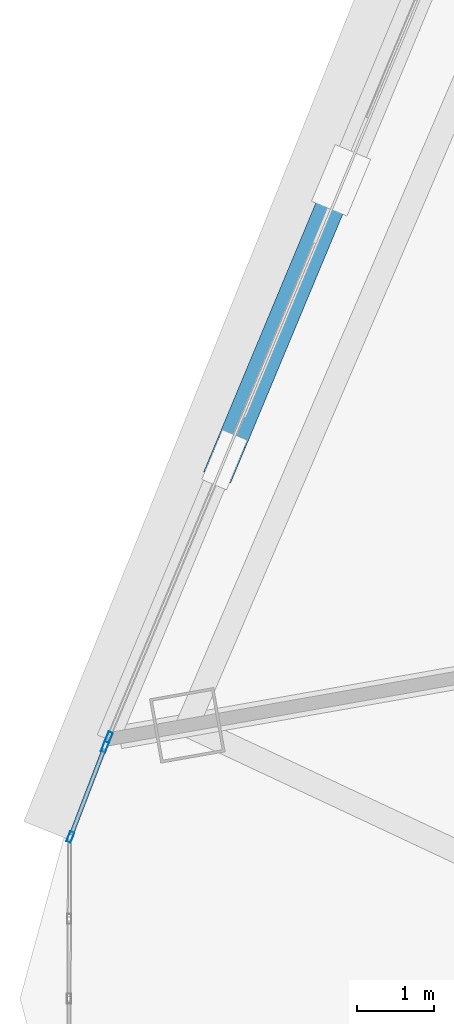
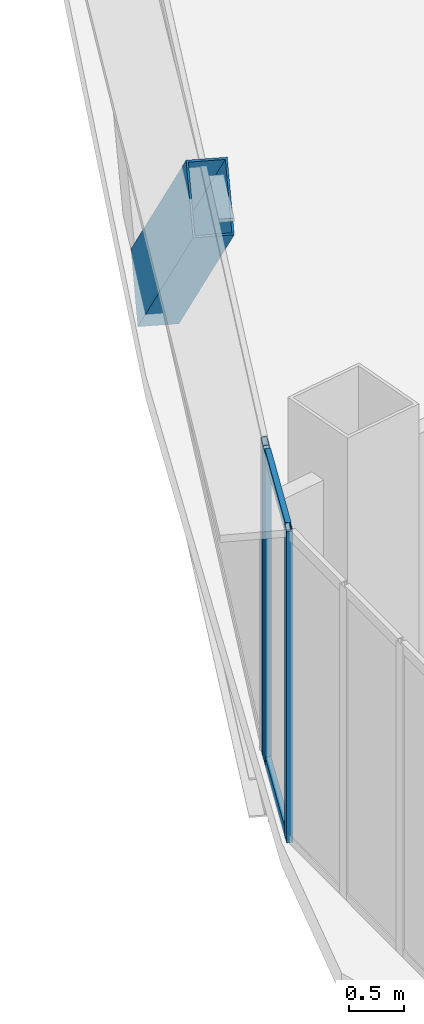
# One storey, part 4 of 36: 6 members, 2 elements without a shape of their own.
"""IFC4 building model written with IfcOpenShell, lengths in metres."""

from ifc_helpers import new_model, si_unit, direction, frame, origin, origin_2d, place, context, subcontext, project, spatial, hollow_rectangle, extrude, source, transform, mapped, material, layer, layer_set, material_profile, profile_set, type_object, element, aggregate, save


model = new_model("IFC4")

# Units and contexts
model_context = context("Model", 3, precision=1e-05, world=origin(), true_north=direction((0.0, 1.0)))
body_context = subcontext(model_context, "Body", "Model", "MODEL_VIEW")
ifc_project = project(units=[si_unit("LENGTHUNIT", "METRE"), si_unit("AREAUNIT", "SQUARE_METRE"), si_unit("VOLUMEUNIT", "CUBIC_METRE"), si_unit("PLANEANGLEUNIT", "RADIAN"), si_unit("MASSUNIT", "GRAM", prefix="KILO"), si_unit("THERMODYNAMICTEMPERATUREUNIT", "KELVIN"), si_unit("POWERUNIT", "WATT")], contexts=[model_context])

# Site, building, storey
site_placement = place(None, origin())
site = spatial("IfcSite", under=ifc_project, at=site_placement, CompositionType="ELEMENT")
building_placement = place(site_placement, origin())
building = spatial("IfcBuilding", under=site, at=building_placement, Name="Yunzhuo Pagoda Commons", CompositionType="ELEMENT")
storey_placement = place(building_placement, frame((0.0, 0.0, 263.179931640625)))
storey = spatial("IfcBuildingStorey", under=building, at=storey_placement, Name="L66", CompositionType="ELEMENT", Elevation=263.179931640625)

# Member
ifc_material_1 = material(Name="Structural steel Q355B", Category="steel")
ifc_material_profile_1 = material_profile(ifc_material_1, hollow_rectangle(XDim=0.3798828125, YDim=0.719970703125, WallThickness=0.02001953125, at=origin_2d()), Name="Structural steel Q355B")
ifc_profile_set_1 = profile_set([ifc_material_profile_1], Name="Structural steel Q355B")
member_type_1 = type_object("IfcMemberType", Name="M-DL3 Brace BOX 720x380x20", PredefinedType="BRACE", material=ifc_profile_set_1)
shared_shape_1 = source(origin(), body_context, "Body", "SweptSolid", [
    extrude(hollow_rectangle(XDim=0.3798828125, YDim=0.719970703125, WallThickness=0.02001953125, at=origin_2d()), origin(), (0.0, 0.0, 1.0), 5.427001953125),
])
member_1_placement = place(storey_placement, frame((18.0673828125, 35.1630859375, -0.260009765625), z_axis=(-0.279635531145, -0.670387497606, 0.687302388164), x_axis=(0.922926600816, -0.384975959648, 0.0)))
element("IfcMember", 1, at=member_1_placement, inside=storey, type_object=member_type_1, Name="L66 facade diamond brace F3.3R", PredefinedType="BRACE", context=body_context, shape_type="MappedRepresentation", body=[
    mapped(shared_shape_1, transform((0.0, 0.0, 0.0), scale=1.0)),
])

# Curtain wall, member
ifc_material_2 = material(Name="Anodized aluminium 6063-T6", Category="aluminium")
ifc_layer = layer(ifc_material_2, 0.139892578125)
ifc_layer_set = layer_set([ifc_layer], Name="Anodized aluminium 6063-T6")
curtain_wall_type = type_object("IfcCurtainWallType", Name="CW-HI High-Zone Ribbon Curtain Wall", PredefinedType="NOTDEFINED", material=ifc_layer_set)
curtain_wall_1_placement = place(storey_placement, origin())
curtain_wall_1 = element("IfcCurtainWall", 2, at=curtain_wall_1_placement, inside=storey, type_object=curtain_wall_type, Name="L66 curtain wall CW-L66-F3B4", PredefinedType="NOTDEFINED")
ifc_material_profile_2 = material_profile(ifc_material_2, hollow_rectangle(XDim=0.06005859375, YDim=0.139892578125, WallThickness=0.00341796875, at=origin_2d()), Name="Anodized aluminium 6063-T6")
ifc_profile_set_2 = profile_set([ifc_material_profile_2], Name="Anodized aluminium 6063-T6")
member_type_2 = type_object("IfcMemberType", Name="CW-HI-M Mullion RHS 140x60x3.5", PredefinedType="MULLION", material=ifc_profile_set_2)
shared_shape_2 = source(origin(), body_context, "Body", "SweptSolid", [
    extrude(hollow_rectangle(XDim=0.06005859375, YDim=0.139892578125, WallThickness=0.00341796875, at=origin_2d()), origin(), (0.0, 0.0, 1.0), 3.469970703125),
])
member_2_placement = place(storey_placement, frame((15.04345703125, 27.91455078125, 0.0), z_axis=(0.0, 0.0, 1.0), x_axis=(0.922909845486, -0.385016125772, 0.0)))
member_2 = element("IfcMember", 3, at=member_2_placement, type_object=member_type_2, Name="CW mullion 2", PredefinedType="MULLION", context=body_context, shape_type="MappedRepresentation", body=[
    mapped(shared_shape_2, transform((0.0, 0.0, 0.0), scale=1.0)),
])
aggregate(curtain_wall_1, [member_2])

# Curtain wall, members
curtain_wall_2_placement = place(storey_placement, origin())
curtain_wall_2 = element("IfcCurtainWall", 4, at=curtain_wall_2_placement, inside=storey, type_object=curtain_wall_type, Name="L66 curtain wall CW-L66-F3B5", PredefinedType="NOTDEFINED")
member_3_placement = place(storey_placement, frame((14.994140625, 27.788818359375, 0.0), z_axis=(0.0, 0.0, 1.0), x_axis=(0.933674157634, -0.358123676077, 0.0)))
member_3 = element("IfcMember", 5, at=member_3_placement, type_object=member_type_2, Name="CW mullion 1", PredefinedType="MULLION", context=body_context, shape_type="MappedRepresentation", body=[
    mapped(shared_shape_2, transform((0.0, 0.0, 0.0), scale=1.0)),
])
member_4_placement = place(storey_placement, frame((14.54443359375, 26.61572265625, 0.0), z_axis=(0.0, 0.0, 1.0), x_axis=(0.933674157634, -0.358123676077, 0.0)))
member_4 = element("IfcMember", 6, at=member_4_placement, type_object=member_type_2, Name="CW mullion 2", PredefinedType="MULLION", context=body_context, shape_type="MappedRepresentation", body=[
    mapped(shared_shape_2, transform((0.0, 0.0, 0.0), scale=1.0)),
])
ifc_material_profile_3 = material_profile(ifc_material_2, hollow_rectangle(XDim=0.054931640625, YDim=0.1201171875, WallThickness=0.00341796875, at=origin_2d()), Name="Anodized aluminium 6063-T6")
ifc_profile_set_3 = profile_set([ifc_material_profile_3], Name="Anodized aluminium 6063-T6")
member_type_3 = type_object("IfcMemberType", Name="CW-HI-T Transom RHS 120x55x3.5", PredefinedType="USERDEFINED", material=ifc_profile_set_3)
shared_shape_3 = source(origin(), body_context, "Body", "SweptSolid", [
    extrude(hollow_rectangle(XDim=0.054931640625, YDim=0.1201171875, WallThickness=0.00341796875, at=origin_2d()), origin(), (0.0, 0.0, 1.0), 1.1962890625),
])
member_5_placement = place(storey_placement, frame((14.9833984375, 27.7607421875, 0.02783203125), z_axis=(-0.357980497641, -0.933729063117, 0.0), x_axis=(0.933729063117, -0.357980497641, 0.0)))
member_5 = element("IfcMember", 7, at=member_5_placement, type_object=member_type_3, Name="CW transom 1.1", ObjectType="TRANSOM", PredefinedType="USERDEFINED", context=body_context, shape_type="MappedRepresentation", body=[
    mapped(shared_shape_3, transform((0.0, 0.0, 0.0), scale=1.0)),
])
member_6_placement = place(storey_placement, frame((14.9833984375, 27.7607421875, 3.442626953125), z_axis=(-0.357980497641, -0.933729063117, 0.0), x_axis=(0.933729063117, -0.357980497641, 0.0)))
member_6 = element("IfcMember", 8, at=member_6_placement, type_object=member_type_3, Name="CW transom 1.2", ObjectType="TRANSOM", PredefinedType="USERDEFINED", context=body_context, shape_type="MappedRepresentation", body=[
    mapped(shared_shape_3, transform((0.0, 0.0, 0.0), scale=1.0)),
])
aggregate(curtain_wall_2, [member_3, member_4, member_5, member_6])

save(model, "model.ifc")
